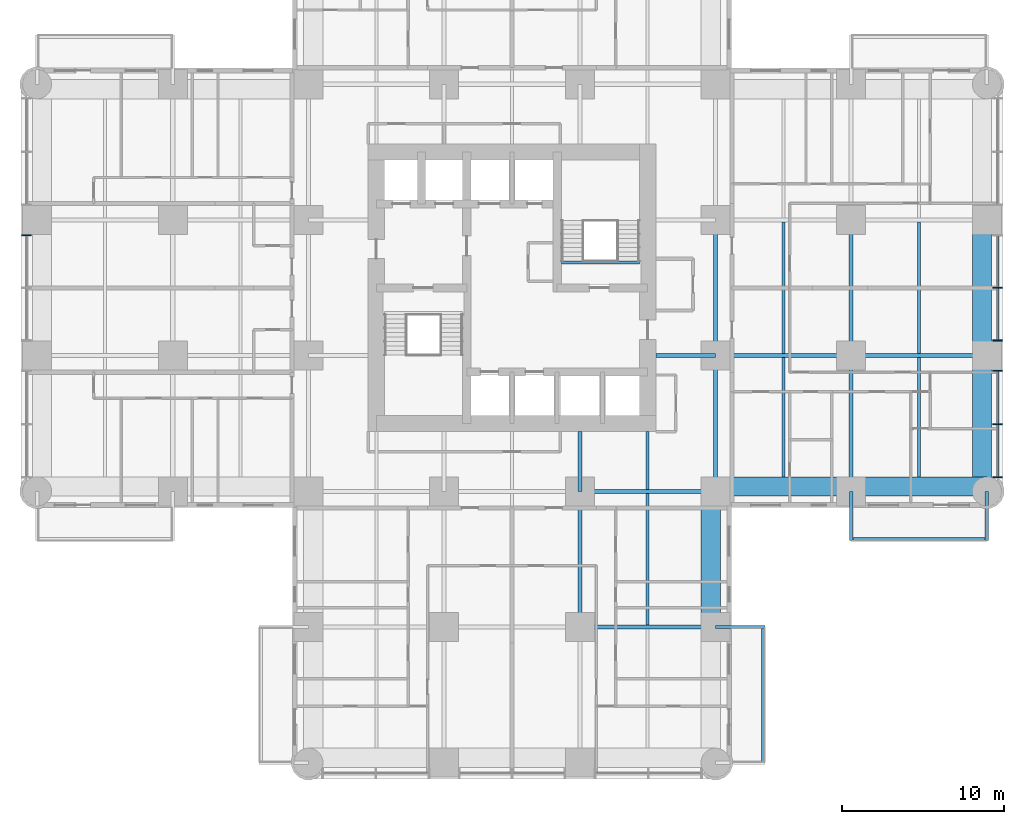
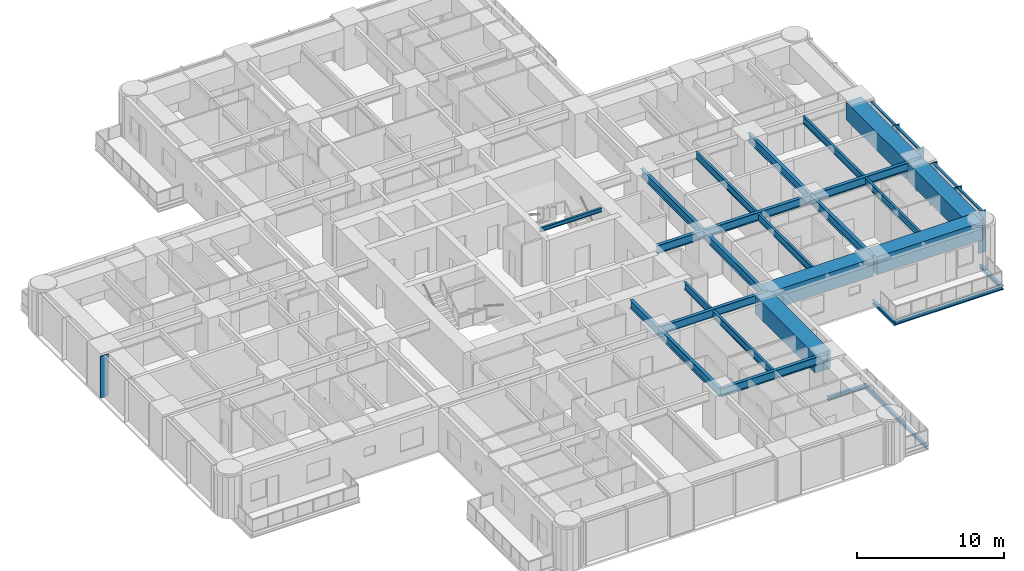
# One storey, part 3 of 17: 28 beams, 10 members, 2 elements without a shape of their own.
"""IFC4 building model written with IfcOpenShell, lengths in metres."""

from ifc_helpers import new_model, si_unit, direction, frame, origin, origin_2d, place, context, subcontext, project, spatial, rectangle, i_section, extrude, material, material_profile, profile_set, type_object, element, aggregate, save


model = new_model("IFC4")

# Units and contexts
model_context = context("Model", 3, precision=1e-05, world=origin(), true_north=direction((0.0, 1.0)))
body_context = subcontext(model_context, "Body", "Model", "MODEL_VIEW")
ifc_project = project(units=[si_unit("LENGTHUNIT", "METRE"), si_unit("AREAUNIT", "SQUARE_METRE"), si_unit("VOLUMEUNIT", "CUBIC_METRE"), si_unit("PLANEANGLEUNIT", "RADIAN"), si_unit("MASSUNIT", "GRAM", prefix="KILO")], contexts=[model_context])

# Site, building, storey
site_placement = place(None, origin())
site = spatial("IfcSite", under=ifc_project, at=site_placement, CompositionType="ELEMENT")
building_placement = place(site_placement, origin())
building = spatial("IfcBuilding", under=site, at=building_placement, Name="Torre Alcanfor", CompositionType="ELEMENT")
storey_placement = place(building_placement, frame((0.0, 0.0, 81.300048828125)))
storey = spatial("IfcBuildingStorey", under=building, at=storey_placement, Name="L20", CompositionType="ELEMENT", Elevation=81.300048828125)

# Beams
ifc_material_1 = material(Name="Steel ASTM A992 Grade 50", Category="steel")
ifc_material_profile_1 = material_profile(ifc_material_1, i_section(OverallWidth=0.205322265625, OverallDepth=0.309814453125, WebThickness=0.00927734375, FlangeThickness=0.016357421875, at=origin_2d()), Name="W12x50")
ifc_profile_set_1 = profile_set([ifc_material_profile_1], Name="Steel ASTM A992 Grade 50")
beam_type_1 = type_object("IfcBeamType", Name="Balcony cantilever beam W12x50", PredefinedType="BEAM", material=ifc_profile_set_1)
for number, where, z_axis, x_axis, name in (
    (1, (50.39990234375, 16.800048828125, -0.35498046875), (0.0, -1.0, 0.0), (1.0, 0.0, 0.0), "Balcony cantilever beam L20-E2 1"),
    (2, (58.800048828125, 16.800048828125, -0.35498046875), (0.0, -1.0, 0.0), (1.0, 0.0, 0.0), "Balcony cantilever beam L20-E2 2"),
    (3, (42.0, 8.39990234375, -0.35498046875), (1.0, 0.0, 0.0), (0.0, 1.0, 0.0), "Balcony cantilever beam L20-S1 1"),
):
    element("IfcBeam", number, at=place(storey_placement, frame(where, z_axis=z_axis, x_axis=x_axis)), inside=storey, type_object=beam_type_1, Name=name, PredefinedType="BEAM", context=body_context, shape_type="SweptSolid", body=[
        extrude(i_section(OverallWidth=0.205322265625, OverallDepth=0.309814453125, WebThickness=0.00927734375, FlangeThickness=0.016357421875, at=origin_2d()), origin(), (0.0, 0.0, 1.0), 3.050048828125),
    ])
ifc_material_2 = material(Name="Steel ASTM A992 Grade 50", Category="steel")
ifc_material_profile_2 = material_profile(ifc_material_2, i_section(OverallWidth=0.203369140625, OverallDepth=0.30224609375, WebThickness=0.007568359375, FlangeThickness=0.01318359375, at=origin_2d()), Name="W12x40")
ifc_profile_set_2 = profile_set([ifc_material_profile_2], Name="Steel ASTM A992 Grade 50")
beam_type_2 = type_object("IfcBeamType", Name="Balcony edge trimmer W12x40", PredefinedType="BEAM", material=ifc_profile_set_2)
beam_1_placement = place(storey_placement, frame((50.39990234375, 13.851806640625, -0.35107421875), z_axis=(1.0, 0.0, 0.0), x_axis=(0.0, 1.0, 0.0)))
element("IfcBeam", 4, at=beam_1_placement, inside=storey, type_object=beam_type_2, Name="Balcony edge trimmer L20-E2", PredefinedType="BEAM", context=body_context, shape_type="SweptSolid", body=[
    extrude(i_section(OverallWidth=0.203369140625, OverallDepth=0.30224609375, WebThickness=0.007568359375, FlangeThickness=0.01318359375, at=origin_2d()), origin(), (0.0, 0.0, 1.0), 8.400146484375),
])
beam_2_placement = place(storey_placement, frame((44.9482421875, 8.39990234375, -0.35107421875), z_axis=(0.0, -1.0, 0.0), x_axis=(1.0, 0.0, 0.0)))
element("IfcBeam", 5, at=beam_2_placement, inside=storey, type_object=beam_type_2, Name="Balcony edge trimmer L20-S1", PredefinedType="BEAM", context=body_context, shape_type="SweptSolid", body=[
    extrude(i_section(OverallWidth=0.203369140625, OverallDepth=0.30224609375, WebThickness=0.007568359375, FlangeThickness=0.01318359375, at=origin_2d()), origin(), (0.0, 0.0, 1.0), 8.39990234375),
])

# Curtain wall, member
ifc_material_3 = material(Name="Aluminium and glass", Category="aluminium")
curtain_wall_type = type_object("IfcCurtainWallType", Name="CW-A unitised apartment glazing with vertical FIN", PredefinedType="NOTDEFINED", material=ifc_material_3)
curtain_wall_1_placement = place(storey_placement, origin())
curtain_wall_1 = element("IfcCurtainWall", 6, at=curtain_wall_1_placement, inside=storey, type_object=curtain_wall_type, Name="Curtain wall CW-A L20 2", PredefinedType="NOTDEFINED")
ifc_material_4 = material(Name="Bronze anodised aluminium", Category="aluminium")
ifc_material_profile_3 = material_profile(ifc_material_4, rectangle(XDim=0.60009765625, YDim=0.06494140625, at=origin_2d()), Name="CW-A mullion 65x600")
ifc_profile_set_3 = profile_set([ifc_material_profile_3], Name="Bronze anodised aluminium")
member_type_1 = type_object("IfcMemberType", Name="CW-A mullion with vertical FIN 65x600", PredefinedType="MULLION", material=ifc_profile_set_3)
member_1_placement = place(storey_placement, frame((-0.64990234375, 32.66259765625, 0.0), z_axis=(0.0, 0.0, 1.0), x_axis=(1.0, 0.0, 0.0)))
member_1 = element("IfcMember", 7, at=member_1_placement, type_object=member_type_1, Name="CW-A mullion 2.1", PredefinedType="MULLION", context=body_context, shape_type="SweptSolid", body=[
    extrude(rectangle(XDim=0.60009765625, YDim=0.06494140625, at=origin_2d()), origin(), (0.0, 0.0, 1.0), 3.449951171875),
])
aggregate(curtain_wall_1, [member_1])

# Curtain wall, members
curtain_wall_2_placement = place(storey_placement, origin())
curtain_wall_2 = element("IfcCurtainWall", 8, at=curtain_wall_2_placement, inside=storey, type_object=curtain_wall_type, Name="Curtain wall CW-A L20 8", PredefinedType="NOTDEFINED")
member_2_placement = place(storey_placement, frame((59.449951171875, 17.6669921875, 0.0), z_axis=(0.0, 0.0, 1.0), x_axis=(-1.0, 0.0, 0.0)))
member_2 = element("IfcMember", 9, at=member_2_placement, type_object=member_type_1, Name="CW-A mullion 1.1", PredefinedType="MULLION", context=body_context, shape_type="SweptSolid", body=[
    extrude(rectangle(XDim=0.60009765625, YDim=0.06494140625, at=origin_2d()), origin(), (0.0, 0.0, 1.0), 3.449951171875),
])
member_3_placement = place(storey_placement, frame((59.449951171875, 20.96484375, 0.0), z_axis=(0.0, 0.0, 1.0), x_axis=(-1.0, 0.0, 0.0)))
member_3 = element("IfcMember", 10, at=member_3_placement, type_object=member_type_1, Name="CW-A mullion 1.2", PredefinedType="MULLION", context=body_context, shape_type="SweptSolid", body=[
    extrude(rectangle(XDim=0.60009765625, YDim=0.06494140625, at=origin_2d()), origin(), (0.0, 0.0, 1.0), 3.449951171875),
])
member_4_placement = place(storey_placement, frame((59.449951171875, 24.262451171875, 0.0), z_axis=(0.0, 0.0, 1.0), x_axis=(-1.0, 0.0, 0.0)))
member_4 = element("IfcMember", 11, at=member_4_placement, type_object=member_type_1, Name="CW-A mullion 1.3", PredefinedType="MULLION", context=body_context, shape_type="SweptSolid", body=[
    extrude(rectangle(XDim=0.60009765625, YDim=0.06494140625, at=origin_2d()), origin(), (0.0, 0.0, 1.0), 3.449951171875),
])
member_5_placement = place(storey_placement, frame((59.449951171875, 26.137451171875, 0.0), z_axis=(0.0, 0.0, 1.0), x_axis=(-1.0, 0.0, 0.0)))
member_5 = element("IfcMember", 12, at=member_5_placement, type_object=member_type_1, Name="CW-A mullion 2.1", PredefinedType="MULLION", context=body_context, shape_type="SweptSolid", body=[
    extrude(rectangle(XDim=0.60009765625, YDim=0.06494140625, at=origin_2d()), origin(), (0.0, 0.0, 1.0), 3.449951171875),
])
member_6_placement = place(storey_placement, frame((59.449951171875, 29.39990234375, 0.0), z_axis=(0.0, 0.0, 1.0), x_axis=(-1.0, 0.0, 0.0)))
member_6 = element("IfcMember", 13, at=member_6_placement, type_object=member_type_1, Name="CW-A mullion 2.2", PredefinedType="MULLION", context=body_context, shape_type="SweptSolid", body=[
    extrude(rectangle(XDim=0.60009765625, YDim=0.06494140625, at=origin_2d()), origin(), (0.0, 0.0, 1.0), 3.449951171875),
])
ifc_material_5 = material(Name="Extruded aluminium", Category="aluminium")
ifc_material_profile_4 = material_profile(ifc_material_5, rectangle(XDim=0.199951171875, YDim=0.06494140625, at=origin_2d()), Name="CW-A transom 200x65")
ifc_profile_set_4 = profile_set([ifc_material_profile_4], Name="Extruded aluminium")
member_type_2 = type_object("IfcMemberType", Name="CW-A transom 65x200", PredefinedType="USERDEFINED", material=ifc_profile_set_4)
member_7_placement = place(storey_placement, frame((59.449951171875, 17.699462890625, 3.41748046875), z_axis=(0.0, 1.0, 0.0), x_axis=(-1.0, 0.0, 0.0)))
member_7 = element("IfcMember", 14, at=member_7_placement, type_object=member_type_2, Name="CW-A transom 1.1.2", ObjectType="TRANSOM", PredefinedType="USERDEFINED", context=body_context, shape_type="SweptSolid", body=[
    extrude(rectangle(XDim=0.199951171875, YDim=0.06494140625, at=origin_2d()), origin(), (0.0, 0.0, 1.0), 3.232666015625),
])
member_8_placement = place(storey_placement, frame((59.449951171875, 20.997314453125, 3.41748046875), z_axis=(0.0, 1.0, 0.0), x_axis=(-1.0, 0.0, 0.0)))
member_8 = element("IfcMember", 15, at=member_8_placement, type_object=member_type_2, Name="CW-A transom 1.2.2", ObjectType="TRANSOM", PredefinedType="USERDEFINED", context=body_context, shape_type="SweptSolid", body=[
    extrude(rectangle(XDim=0.199951171875, YDim=0.06494140625, at=origin_2d()), origin(), (0.0, 0.0, 1.0), 3.232666015625),
])
member_9_placement = place(storey_placement, frame((59.449951171875, 26.169921875, 3.41748046875), z_axis=(0.0, 1.0, 0.0), x_axis=(-1.0, 0.0, 0.0)))
member_9 = element("IfcMember", 16, at=member_9_placement, type_object=member_type_2, Name="CW-A transom 2.1.2", ObjectType="TRANSOM", PredefinedType="USERDEFINED", context=body_context, shape_type="SweptSolid", body=[
    extrude(rectangle(XDim=0.199951171875, YDim=0.06494140625, at=origin_2d()), origin(), (0.0, 0.0, 1.0), 3.197509765625),
])
member_10_placement = place(storey_placement, frame((59.449951171875, 29.4326171875, 3.41748046875), z_axis=(0.0, 1.0, 0.0), x_axis=(-1.0, 0.0, 0.0)))
member_10 = element("IfcMember", 17, at=member_10_placement, type_object=member_type_2, Name="CW-A transom 2.2.2", ObjectType="TRANSOM", PredefinedType="USERDEFINED", context=body_context, shape_type="SweptSolid", body=[
    extrude(rectangle(XDim=0.199951171875, YDim=0.06494140625, at=origin_2d()), origin(), (0.0, 0.0, 1.0), 3.197265625),
])
aggregate(curtain_wall_2, [member_2, member_3, member_4, member_7, member_8, member_5, member_6, member_9, member_10])

# Beams
ifc_material_6 = material(Name="Steel ASTM A992 Grade 50", Category="steel")
ifc_material_profile_5 = material_profile(ifc_material_6, i_section(OverallWidth=0.25390625, OverallDepth=0.683349609375, WebThickness=0.012451171875, FlangeThickness=0.01904296875, at=origin_2d()), Name="W27x94")
ifc_profile_set_5 = profile_set([ifc_material_profile_5], Name="Steel ASTM A992 Grade 50")
beam_type_3 = type_object("IfcBeamType", Name="Girder W27x94", PredefinedType="BEAM", material=ifc_profile_set_5)
for number, where, z_axis, x_axis, name in (
    (18, (33.60009765625, 8.39990234375, 3.1083984375), (1.0, 0.0, 0.0), (0.0, 1.0, 0.0), "Beam 5D-6D under L21"),
    (19, (33.60009765625, 16.800048828125, 3.1083984375), (1.0, 0.0, 0.0), (0.0, 1.0, 0.0), "Beam 5E-6E under L21"),
    (20, (42.0, 25.199951171875, 3.1083984375), (1.0, 0.0, 0.0), (0.0, 1.0, 0.0), "Beam 6F-7F under L21"),
):
    element("IfcBeam", number, at=place(storey_placement, frame(where, z_axis=z_axis, x_axis=x_axis)), inside=storey, type_object=beam_type_3, Name=name, PredefinedType="BEAM", context=body_context, shape_type="SweptSolid", body=[
        extrude(i_section(OverallWidth=0.25390625, OverallDepth=0.683349609375, WebThickness=0.012451171875, FlangeThickness=0.01904296875, at=origin_2d()), origin(), (0.0, 0.0, 1.0), 8.39990234375),
    ])
for number, where, z_axis, x_axis, name in (
    (21, (50.39990234375, 25.199951171875, 3.1083984375), (1.0, 0.0, 0.0), (0.0, 1.0, 0.0), "Beam 7F-8F under L21"),
    (22, (33.60009765625, 8.39990234375, 3.1083984375), (0.0, 1.0, 0.0), (-1.0, 0.0, 0.0), "Beam 5D-5E under L21"),
):
    element("IfcBeam", number, at=place(storey_placement, frame(where, z_axis=z_axis, x_axis=x_axis)), inside=storey, type_object=beam_type_3, Name=name, PredefinedType="BEAM", context=body_context, shape_type="SweptSolid", body=[
        extrude(i_section(OverallWidth=0.25390625, OverallDepth=0.683349609375, WebThickness=0.012451171875, FlangeThickness=0.01904296875, at=origin_2d()), origin(), (0.0, 0.0, 1.0), 8.400146484375),
    ])
beam_3_placement = place(storey_placement, frame((42.0, 16.800048828125, 3.1083984375), z_axis=(0.0, 1.0, 0.0), x_axis=(-1.0, 0.0, 0.0)))
element("IfcBeam", 23, at=beam_3_placement, inside=storey, type_object=beam_type_3, Name="Beam 6E-6F under L21", PredefinedType="BEAM", context=body_context, shape_type="SweptSolid", body=[
    extrude(i_section(OverallWidth=0.25390625, OverallDepth=0.683349609375, WebThickness=0.012451171875, FlangeThickness=0.01904296875, at=origin_2d()), origin(), (0.0, 0.0, 1.0), 8.39990234375),
])
beam_4_placement = place(storey_placement, frame((42.0, 25.199951171875, 3.1083984375), z_axis=(0.0, 1.0, 0.0), x_axis=(-1.0, 0.0, 0.0)))
element("IfcBeam", 24, at=beam_4_placement, inside=storey, type_object=beam_type_3, Name="Beam 6F-6G under L21", PredefinedType="BEAM", context=body_context, shape_type="SweptSolid", body=[
    extrude(i_section(OverallWidth=0.25390625, OverallDepth=0.683349609375, WebThickness=0.012451171875, FlangeThickness=0.01904296875, at=origin_2d()), origin(), (0.0, 0.0, 1.0), 8.400146484375),
])
beam_5_placement = place(storey_placement, frame((50.39990234375, 16.800048828125, 3.1083984375), z_axis=(0.0, 1.0, 0.0), x_axis=(-1.0, 0.0, 0.0)))
element("IfcBeam", 25, at=beam_5_placement, inside=storey, type_object=beam_type_3, Name="Beam 7E-7F under L21", PredefinedType="BEAM", context=body_context, shape_type="SweptSolid", body=[
    extrude(i_section(OverallWidth=0.25390625, OverallDepth=0.683349609375, WebThickness=0.012451171875, FlangeThickness=0.01904296875, at=origin_2d()), origin(), (0.0, 0.0, 1.0), 8.39990234375),
])
beam_6_placement = place(storey_placement, frame((50.39990234375, 25.199951171875, 3.1083984375), z_axis=(0.0, 1.0, 0.0), x_axis=(-1.0, 0.0, 0.0)))
element("IfcBeam", 26, at=beam_6_placement, inside=storey, type_object=beam_type_3, Name="Beam 7F-7G under L21", PredefinedType="BEAM", context=body_context, shape_type="SweptSolid", body=[
    extrude(i_section(OverallWidth=0.25390625, OverallDepth=0.683349609375, WebThickness=0.012451171875, FlangeThickness=0.01904296875, at=origin_2d()), origin(), (0.0, 0.0, 1.0), 8.400146484375),
])
ifc_material_7 = material(Name="Steel ASTM A992 Grade 50", Category="steel")
ifc_material_profile_6 = material_profile(ifc_material_7, i_section(OverallWidth=0.25390625, OverallDepth=0.683349609375, WebThickness=0.012451171875, FlangeThickness=0.01904296875, at=origin_2d()), Name="W27x94")
ifc_profile_set_6 = profile_set([ifc_material_profile_6], Name="Steel ASTM A992 Grade 50")
beam_type_4 = type_object("IfcBeamType", Name="Girder, part bay W27x94", PredefinedType="BEAM", material=ifc_profile_set_6)
for number, where, z_axis, x_axis, name in (
    (27, (33.60009765625, 16.800048828125, 3.1083984375), (0.0, 1.0, 0.0), (-1.0, 0.0, 0.0), "Beam 5E-520_5 under L21"),
    (28, (42.0, 25.199951171875, 3.1083984375), (-1.0, 0.0, 0.0), (0.0, -1.0, 0.0), "Beam 6F-38_3F under L21"),
):
    element("IfcBeam", number, at=place(storey_placement, frame(where, z_axis=z_axis, x_axis=x_axis)), inside=storey, type_object=beam_type_4, Name=name, PredefinedType="BEAM", context=body_context, shape_type="SweptSolid", body=[
        extrude(i_section(OverallWidth=0.25390625, OverallDepth=0.683349609375, WebThickness=0.012451171875, FlangeThickness=0.01904296875, at=origin_2d()), origin(), (0.0, 0.0, 1.0), 3.699951171875),
    ])
ifc_material_8 = material(Name="Concrete f'c 70 MPa", Category="concrete")
ifc_material_profile_7 = material_profile(ifc_material_8, rectangle(XDim=1.199951171875, YDim=1.5, at=origin_2d()), Name="1200x1500")
ifc_profile_set_7 = profile_set([ifc_material_profile_7], Name="Concrete f'c 70 MPa")
beam_type_5 = type_object("IfcBeamType", Name="RC perimeter beam 1200x1500", PredefinedType="BEAM", material=ifc_profile_set_7)
beam_7_placement = place(storey_placement, frame((42.126953125, 17.10009765625, 2.699951171875), z_axis=(1.0, 0.0, 0.0), x_axis=(0.0, 1.0, 0.0)))
element("IfcBeam", 29, at=beam_7_placement, inside=storey, type_object=beam_type_5, Name="Beam 6E-7E under L21", PredefinedType="BEAM", context=body_context, shape_type="SweptSolid", body=[
    extrude(rectangle(XDim=1.199951171875, YDim=1.5, at=origin_2d()), origin(), (0.0, 0.0, 1.0), 8.14599609375),
])
beam_8_placement = place(storey_placement, frame((50.527099609375, 17.10009765625, 2.699951171875), z_axis=(1.0, 0.0, 0.0), x_axis=(0.0, 1.0, 0.0)))
element("IfcBeam", 30, at=beam_8_placement, inside=storey, type_object=beam_type_5, Name="Beam 7E-8E under L21", PredefinedType="BEAM", context=body_context, shape_type="SweptSolid", body=[
    extrude(rectangle(XDim=1.199951171875, YDim=1.5, at=origin_2d()), origin(), (0.0, 0.0, 1.0), 8.27294921875),
])
beam_9_placement = place(storey_placement, frame((41.699951171875, 8.527099609375, 2.699951171875), z_axis=(0.0, 1.0, 0.0), x_axis=(-1.0, 0.0, 0.0)))
element("IfcBeam", 31, at=beam_9_placement, inside=storey, type_object=beam_type_5, Name="Beam 6D-6E under L21", PredefinedType="BEAM", context=body_context, shape_type="SweptSolid", body=[
    extrude(rectangle(XDim=1.199951171875, YDim=1.5, at=origin_2d()), origin(), (0.0, 0.0, 1.0), 8.14599609375),
])
beam_10_placement = place(storey_placement, frame((58.5, 16.800048828125, 2.699951171875), z_axis=(0.0, 1.0, 0.0), x_axis=(-1.0, 0.0, 0.0)))
element("IfcBeam", 32, at=beam_10_placement, inside=storey, type_object=beam_type_5, Name="Beam 8E-8F under L21", PredefinedType="BEAM", context=body_context, shape_type="SweptSolid", body=[
    extrude(rectangle(XDim=1.199951171875, YDim=1.5, at=origin_2d()), origin(), (0.0, 0.0, 1.0), 8.27294921875),
])
beam_11_placement = place(storey_placement, frame((58.5, 25.326904296875, 2.699951171875), z_axis=(0.0, 1.0, 0.0), x_axis=(-1.0, 0.0, 0.0)))
element("IfcBeam", 33, at=beam_11_placement, inside=storey, type_object=beam_type_5, Name="Beam 8F-8G under L21", PredefinedType="BEAM", context=body_context, shape_type="SweptSolid", body=[
    extrude(rectangle(XDim=1.199951171875, YDim=1.5, at=origin_2d()), origin(), (0.0, 0.0, 1.0), 8.14599609375),
])
ifc_material_9 = material(Name="Steel ASTM A992 Grade 50", Category="steel")
ifc_material_profile_8 = material_profile(ifc_material_9, i_section(OverallWidth=0.1787109375, OverallDepth=0.60205078125, WebThickness=0.010986328125, FlangeThickness=0.014892578125, at=origin_2d()), Name="W24x62")
ifc_profile_set_8 = profile_set([ifc_material_profile_8], Name="Steel ASTM A992 Grade 50")
beam_type_6 = type_object("IfcBeamType", Name="Secondary beam W24x62", PredefinedType="BEAM", material=ifc_profile_set_8)
beam_12_placement = place(storey_placement, frame((37.800048828125, 8.527099609375, 3.14892578125), z_axis=(0.0, 1.0, 0.0), x_axis=(-1.0, 0.0, 0.0)))
element("IfcBeam", 34, at=beam_12_placement, inside=storey, type_object=beam_type_6, Name="Beam 37_8D-37_8E under L21", PredefinedType="BEAM", context=body_context, shape_type="SweptSolid", body=[
    extrude(i_section(OverallWidth=0.1787109375, OverallDepth=0.60205078125, WebThickness=0.010986328125, FlangeThickness=0.014892578125, at=origin_2d()), origin(), (0.0, 0.0, 1.0), 8.14599609375),
])
beam_13_placement = place(storey_placement, frame((46.199951171875, 17.699951171875, 3.14892578125), z_axis=(0.0, 1.0, 0.0), x_axis=(-1.0, 0.0, 0.0)))
element("IfcBeam", 35, at=beam_13_placement, inside=storey, type_object=beam_type_6, Name="Beam 46_2E-46_2F under L21", PredefinedType="BEAM", context=body_context, shape_type="SweptSolid", body=[
    extrude(i_section(OverallWidth=0.1787109375, OverallDepth=0.60205078125, WebThickness=0.010986328125, FlangeThickness=0.014892578125, at=origin_2d()), origin(), (0.0, 0.0, 1.0), 7.373046875),
])
beam_14_placement = place(storey_placement, frame((46.199951171875, 25.326904296875, 3.14892578125), z_axis=(0.0, 1.0, 0.0), x_axis=(-1.0, 0.0, 0.0)))
element("IfcBeam", 36, at=beam_14_placement, inside=storey, type_object=beam_type_6, Name="Beam 46_2F-46_2G under L21", PredefinedType="BEAM", context=body_context, shape_type="SweptSolid", body=[
    extrude(i_section(OverallWidth=0.1787109375, OverallDepth=0.60205078125, WebThickness=0.010986328125, FlangeThickness=0.014892578125, at=origin_2d()), origin(), (0.0, 0.0, 1.0), 8.14599609375),
])
beam_15_placement = place(storey_placement, frame((54.60009765625, 17.699951171875, 3.14892578125), z_axis=(0.0, 1.0, 0.0), x_axis=(-1.0, 0.0, 0.0)))
element("IfcBeam", 37, at=beam_15_placement, inside=storey, type_object=beam_type_6, Name="Beam 54_6E-54_6F under L21", PredefinedType="BEAM", context=body_context, shape_type="SweptSolid", body=[
    extrude(i_section(OverallWidth=0.1787109375, OverallDepth=0.60205078125, WebThickness=0.010986328125, FlangeThickness=0.014892578125, at=origin_2d()), origin(), (0.0, 0.0, 1.0), 7.373046875),
])
beam_16_placement = place(storey_placement, frame((54.60009765625, 25.326904296875, 3.14892578125), z_axis=(0.0, 1.0, 0.0), x_axis=(-1.0, 0.0, 0.0)))
element("IfcBeam", 38, at=beam_16_placement, inside=storey, type_object=beam_type_6, Name="Beam 54_6F-54_6G under L21", PredefinedType="BEAM", context=body_context, shape_type="SweptSolid", body=[
    extrude(i_section(OverallWidth=0.1787109375, OverallDepth=0.60205078125, WebThickness=0.010986328125, FlangeThickness=0.014892578125, at=origin_2d()), origin(), (0.0, 0.0, 1.0), 8.14599609375),
])
ifc_material_10 = material(Name="Steel ASTM A992 Grade 50", Category="steel")
ifc_material_profile_9 = material_profile(ifc_material_10, i_section(OverallWidth=0.1787109375, OverallDepth=0.60205078125, WebThickness=0.010986328125, FlangeThickness=0.014892578125, at=origin_2d()), Name="W24x62")
ifc_profile_set_9 = profile_set([ifc_material_profile_9], Name="Steel ASTM A992 Grade 50")
beam_type_7 = type_object("IfcBeamType", Name="Secondary beam, part bay W24x62", PredefinedType="BEAM", material=ifc_profile_set_9)
beam_17_placement = place(storey_placement, frame((37.800048828125, 16.927001953125, 3.14892578125), z_axis=(0.0, 1.0, 0.0), x_axis=(-1.0, 0.0, 0.0)))
element("IfcBeam", 39, at=beam_17_placement, inside=storey, type_object=beam_type_7, Name="Beam 37_8E-37_820_5 under L21", PredefinedType="BEAM", context=body_context, shape_type="SweptSolid", body=[
    extrude(i_section(OverallWidth=0.1787109375, OverallDepth=0.60205078125, WebThickness=0.010986328125, FlangeThickness=0.014892578125, at=origin_2d()), origin(), (0.0, 0.0, 1.0), 3.572998046875),
])
ifc_material_11 = material(Name="Steel ASTM A992 Grade 50", Category="steel")
ifc_material_profile_10 = material_profile(ifc_material_11, i_section(OverallWidth=0.164794921875, OverallDepth=0.309814453125, WebThickness=0.005859375, FlangeThickness=0.009765625, at=origin_2d()), Name="W12x26")
ifc_profile_set_10 = profile_set([ifc_material_profile_10], Name="Steel ASTM A992 Grade 50")
beam_type_8 = type_object("IfcBeamType", Name="Stair landing beam W12x26", PredefinedType="BEAM", material=ifc_profile_set_10)
beam_18_placement = place(storey_placement, frame((32.449951171875, 30.962646484375, 3.2451171875), z_axis=(1.0, 0.0, 0.0), x_axis=(0.0, 1.0, 0.0)))
element("IfcBeam", 40, at=beam_18_placement, inside=storey, type_object=beam_type_8, Name="Landing trimmer S2 L21", PredefinedType="BEAM", context=body_context, shape_type="SweptSolid", body=[
    extrude(i_section(OverallWidth=0.164794921875, OverallDepth=0.309814453125, WebThickness=0.005859375, FlangeThickness=0.009765625, at=origin_2d()), origin(), (0.0, 0.0, 1.0), 4.85009765625),
])

save(model, "model.ifc")
